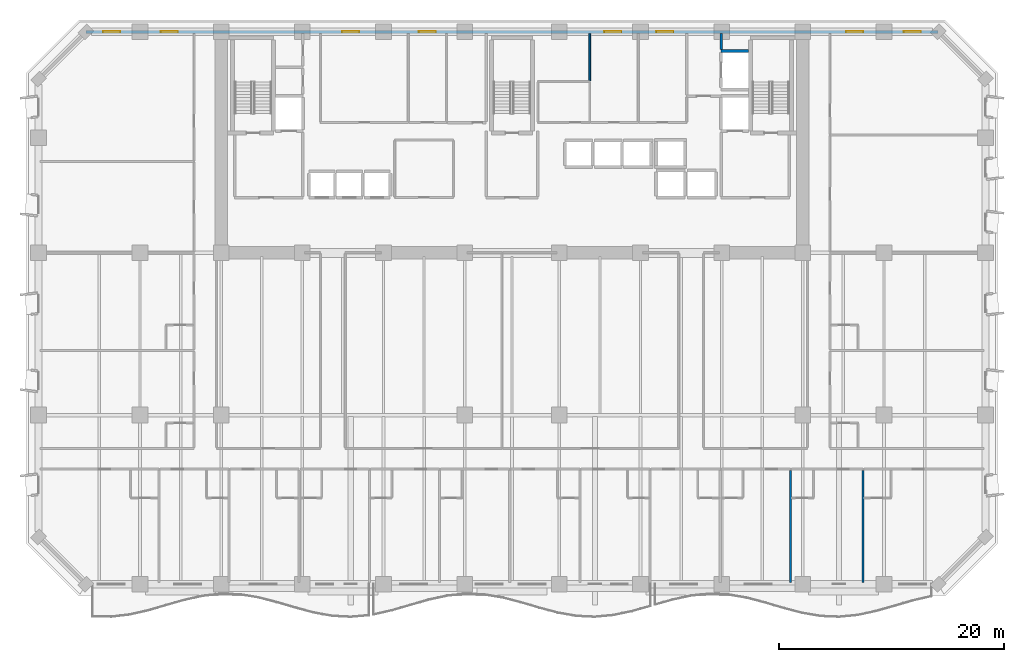
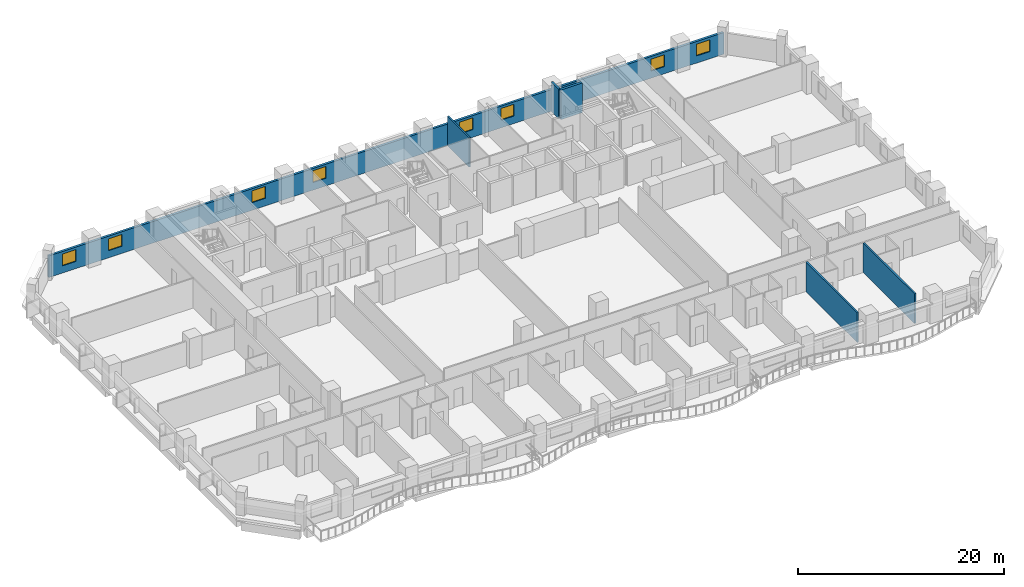
# One storey, part 9 of 15: 8 windows, 6 walls, 8 openings.
"""IFC4 building model written with IfcOpenShell, lengths in metres."""

from ifc_helpers import new_model, si_unit, direction, frame, frame_2d, origin, place, context, subcontext, project, spatial, rectangle, extrude, material, layer, layer_set, type_object, element, fill, save


model = new_model("IFC4")

# Units and contexts
model_context = context("Model", 3, precision=1e-05, world=origin(), true_north=direction((0.0, 1.0)))
body_context = subcontext(model_context, "Body", "Model", "MODEL_VIEW")
ifc_project = project(units=[si_unit("LENGTHUNIT", "METRE"), si_unit("AREAUNIT", "SQUARE_METRE"), si_unit("VOLUMEUNIT", "CUBIC_METRE"), si_unit("PLANEANGLEUNIT", "RADIAN"), si_unit("MASSUNIT", "GRAM", prefix="KILO")], contexts=[model_context])

# Site, building, storey
site_placement = place(None, origin())
site = spatial("IfcSite", under=ifc_project, at=site_placement, CompositionType="ELEMENT")
building_placement = place(site_placement, origin())
building = spatial("IfcBuilding", under=site, at=building_placement, Name="Kaelvorn Grand Hotel", CompositionType="ELEMENT")
storey_placement = place(building_placement, frame((0.0, 0.0, 46.39990234375)))
storey = spatial("IfcBuildingStorey", under=building, at=storey_placement, Name="L09", CompositionType="ELEMENT", Elevation=46.39990234375)

# Wall, openings, windows
ifc_material_1 = material(Name="Concrete C40/50", Category="concrete")
ifc_layer_1 = layer(ifc_material_1, 0.260009765625)
ifc_layer_set_1 = layer_set([ifc_layer_1], Name="Concrete C40/50")
wall_type_1 = type_object("IfcWallType", Name="WL-EXT-260-C40", PredefinedType="SOLIDWALL", material=ifc_layer_set_1)
wall_1_placement = place(storey_placement, frame((79.800048828125, 49.0, 0.0), z_axis=(0.0, 0.0, 1.0), x_axis=(-1.0, 0.0, 0.0)))
wall_1 = element("IfcWall", 1, at=wall_1_placement, inside=storey, type_object=wall_type_1, Name="L09 Exterior Architectural Concrete Wall 05", PredefinedType="SOLIDWALL", context=body_context, shape_type="SweptSolid", body=[
    extrude(rectangle(XDim=75.60009765625, YDim=0.260009765625, at=frame_2d((37.800048828125, 0.0))), origin(), (0.0, 0.0, 1.0), 2.56005859375),
])
opening_1_placement = place(wall_1_placement, frame((72.56494140625, 0.0, 0.85009765625)))
opening_1 = element("IfcOpeningElement", 2, at=opening_1_placement, cuts=wall_1, Name="Opening W10", PredefinedType="OPENING", context=body_context, shape_type="SweptSolid", body=[
    extrude(rectangle(XDim=1.5, YDim=1.39990234375, at=frame_2d((0.75, 0.699951171875))), frame((0.0, 0.14013671875, 0.0), z_axis=(0.0, -1.0, 0.0), x_axis=(1.0, 0.0, 0.0)), (0.0, 0.0, 1.0), 0.280029296875),
])
opening_2_placement = place(wall_1_placement, frame((67.449951171875, 0.0, 0.85009765625)))
opening_2 = element("IfcOpeningElement", 3, at=opening_2_placement, cuts=wall_1, Name="Opening W10", PredefinedType="OPENING", context=body_context, shape_type="SweptSolid", body=[
    extrude(rectangle(XDim=1.5, YDim=1.39990234375, at=frame_2d((0.75, 0.699951171875))), frame((0.0, 0.14013671875, 0.0), z_axis=(0.0, -1.0, 0.0), x_axis=(1.0, 0.0, 0.0)), (0.0, 0.0, 1.0), 0.280029296875),
])
opening_3_placement = place(wall_1_placement, frame((6.64990234375, 0.0, 0.85009765625)))
opening_3 = element("IfcOpeningElement", 4, at=opening_3_placement, cuts=wall_1, Name="Opening W10", PredefinedType="OPENING", context=body_context, shape_type="SweptSolid", body=[
    extrude(rectangle(XDim=1.5, YDim=1.39990234375, at=frame_2d((0.75, 0.699951171875))), frame((0.0, 0.14013671875, 0.0), z_axis=(0.0, -1.0, 0.0), x_axis=(1.0, 0.0, 0.0)), (0.0, 0.0, 1.0), 0.280029296875),
])
opening_4_placement = place(wall_1_placement, frame((1.534912109375, 0.0, 0.85009765625)))
opening_4 = element("IfcOpeningElement", 5, at=opening_4_placement, cuts=wall_1, Name="Opening W10", PredefinedType="OPENING", context=body_context, shape_type="SweptSolid", body=[
    extrude(rectangle(XDim=1.5, YDim=1.39990234375, at=frame_2d((0.75, 0.699951171875))), frame((0.0, 0.14013671875, 0.0), z_axis=(0.0, -1.0, 0.0), x_axis=(1.0, 0.0, 0.0)), (0.0, 0.0, 1.0), 0.280029296875),
])
opening_5_placement = place(wall_1_placement, frame((51.364990234375, 0.0, 0.89990234375)))
opening_5 = element("IfcOpeningElement", 6, at=opening_5_placement, cuts=wall_1, Name="Opening W10", PredefinedType="OPENING", context=body_context, shape_type="SweptSolid", body=[
    extrude(rectangle(XDim=1.5, YDim=1.39990234375, at=frame_2d((0.75, 0.699951171875))), frame((0.0, 0.14013671875, 0.0), z_axis=(0.0, -1.0, 0.0), x_axis=(1.0, 0.0, 0.0)), (0.0, 0.0, 1.0), 0.280029296875),
])
opening_6_placement = place(wall_1_placement, frame((44.550048828125, 0.0, 0.89990234375)))
opening_6 = element("IfcOpeningElement", 7, at=opening_6_placement, cuts=wall_1, Name="Opening W10", PredefinedType="OPENING", context=body_context, shape_type="SweptSolid", body=[
    extrude(rectangle(XDim=1.5, YDim=1.39990234375, at=frame_2d((0.75, 0.699951171875))), frame((0.0, 0.14013671875, 0.0), z_axis=(0.0, -1.0, 0.0), x_axis=(1.0, 0.0, 0.0)), (0.0, 0.0, 1.0), 0.280029296875),
])
opening_7_placement = place(wall_1_placement, frame((28.10009765625, 0.0, 0.89990234375)))
opening_7 = element("IfcOpeningElement", 8, at=opening_7_placement, cuts=wall_1, Name="Opening W10", PredefinedType="OPENING", context=body_context, shape_type="SweptSolid", body=[
    extrude(rectangle(XDim=1.5, YDim=1.39990234375, at=frame_2d((0.75, 0.699951171875))), frame((0.0, 0.14013671875, 0.0), z_axis=(0.0, -1.0, 0.0), x_axis=(1.0, 0.0, 0.0)), (0.0, 0.0, 1.0), 0.280029296875),
])
opening_8_placement = place(wall_1_placement, frame((23.485107421875, 0.0, 0.89990234375)))
opening_8 = element("IfcOpeningElement", 9, at=opening_8_placement, cuts=wall_1, Name="Opening W10", PredefinedType="OPENING", context=body_context, shape_type="SweptSolid", body=[
    extrude(rectangle(XDim=1.5, YDim=1.39990234375, at=frame_2d((0.75, 0.699951171875))), frame((0.0, 0.14013671875, 0.0), z_axis=(0.0, -1.0, 0.0), x_axis=(1.0, 0.0, 0.0)), (0.0, 0.0, 1.0), 0.280029296875),
])
ifc_material_2 = material(Name="Laminated Low-E Glass", Category="glass")
window_type = type_object("IfcWindowType", Name="WIN-COR-1500x1400", PartitioningType="SINGLE_PANEL", PredefinedType="WINDOW", material=ifc_material_2)
window_1_placement = place(opening_1_placement, origin())
window_1 = element("IfcWindow", 10, at=window_1_placement, inside=storey, type_object=window_type, Name="L09 North Wing Ribbon Window NW01", OverallHeight=1.39990234375, OverallWidth=1.5, PartitioningType="SINGLE_PANEL", PredefinedType="WINDOW", context=body_context, shape_type="SweptSolid", body=[
    extrude(rectangle(XDim=1.5, YDim=1.39990234375, at=frame_2d((0.75, 0.699951171875))), frame((0.0, 0.030029296875, 0.0), z_axis=(0.0, -1.0, 0.0), x_axis=(1.0, 0.0, 0.0)), (0.0, 0.0, 1.0), 0.06005859375),
])
fill(opening_1, window_1)
window_2_placement = place(opening_2_placement, origin())
window_2 = element("IfcWindow", 11, at=window_2_placement, inside=storey, type_object=window_type, Name="L09 North Wing Ribbon Window NW02", OverallHeight=1.39990234375, OverallWidth=1.5, PartitioningType="SINGLE_PANEL", PredefinedType="WINDOW", context=body_context, shape_type="SweptSolid", body=[
    extrude(rectangle(XDim=1.5, YDim=1.39990234375, at=frame_2d((0.75, 0.699951171875))), frame((0.0, 0.030029296875, 0.0), z_axis=(0.0, -1.0, 0.0), x_axis=(1.0, 0.0, 0.0)), (0.0, 0.0, 1.0), 0.06005859375),
])
fill(opening_2, window_2)
window_3_placement = place(opening_3_placement, origin())
window_3 = element("IfcWindow", 12, at=window_3_placement, inside=storey, type_object=window_type, Name="L09 North Wing Ribbon Window NW03", OverallHeight=1.39990234375, OverallWidth=1.5, PartitioningType="SINGLE_PANEL", PredefinedType="WINDOW", context=body_context, shape_type="SweptSolid", body=[
    extrude(rectangle(XDim=1.5, YDim=1.39990234375, at=frame_2d((0.75, 0.699951171875))), frame((0.0, 0.030029296875, 0.0), z_axis=(0.0, -1.0, 0.0), x_axis=(1.0, 0.0, 0.0)), (0.0, 0.0, 1.0), 0.06005859375),
])
fill(opening_3, window_3)
window_4_placement = place(opening_4_placement, origin())
window_4 = element("IfcWindow", 13, at=window_4_placement, inside=storey, type_object=window_type, Name="L09 North Wing Ribbon Window NW04", OverallHeight=1.39990234375, OverallWidth=1.5, PartitioningType="SINGLE_PANEL", PredefinedType="WINDOW", context=body_context, shape_type="SweptSolid", body=[
    extrude(rectangle(XDim=1.5, YDim=1.39990234375, at=frame_2d((0.75, 0.699951171875))), frame((0.0, 0.030029296875, 0.0), z_axis=(0.0, -1.0, 0.0), x_axis=(1.0, 0.0, 0.0)), (0.0, 0.0, 1.0), 0.06005859375),
])
fill(opening_4, window_4)
window_5_placement = place(opening_5_placement, origin())
window_5 = element("IfcWindow", 14, at=window_5_placement, inside=storey, type_object=window_type, Name="L09 North Core Clerestory Ribbon Window NC05", OverallHeight=1.39990234375, OverallWidth=1.5, PartitioningType="SINGLE_PANEL", PredefinedType="WINDOW", context=body_context, shape_type="SweptSolid", body=[
    extrude(rectangle(XDim=1.5, YDim=1.39990234375, at=frame_2d((0.75, 0.699951171875))), frame((0.0, 0.030029296875, 0.0), z_axis=(0.0, -1.0, 0.0), x_axis=(1.0, 0.0, 0.0)), (0.0, 0.0, 1.0), 0.06005859375),
])
fill(opening_5, window_5)
window_6_placement = place(opening_6_placement, origin())
window_6 = element("IfcWindow", 15, at=window_6_placement, inside=storey, type_object=window_type, Name="L09 North Core Clerestory Ribbon Window NC06", OverallHeight=1.39990234375, OverallWidth=1.5, PartitioningType="SINGLE_PANEL", PredefinedType="WINDOW", context=body_context, shape_type="SweptSolid", body=[
    extrude(rectangle(XDim=1.5, YDim=1.39990234375, at=frame_2d((0.75, 0.699951171875))), frame((0.0, 0.030029296875, 0.0), z_axis=(0.0, -1.0, 0.0), x_axis=(1.0, 0.0, 0.0)), (0.0, 0.0, 1.0), 0.06005859375),
])
fill(opening_6, window_6)
window_7_placement = place(opening_7_placement, origin())
window_7 = element("IfcWindow", 16, at=window_7_placement, inside=storey, type_object=window_type, Name="L09 North Core Clerestory Ribbon Window NC07", OverallHeight=1.39990234375, OverallWidth=1.5, PartitioningType="SINGLE_PANEL", PredefinedType="WINDOW", context=body_context, shape_type="SweptSolid", body=[
    extrude(rectangle(XDim=1.5, YDim=1.39990234375, at=frame_2d((0.75, 0.699951171875))), frame((0.0, 0.030029296875, 0.0), z_axis=(0.0, -1.0, 0.0), x_axis=(1.0, 0.0, 0.0)), (0.0, 0.0, 1.0), 0.06005859375),
])
fill(opening_7, window_7)
window_8_placement = place(opening_8_placement, origin())
window_8 = element("IfcWindow", 17, at=window_8_placement, inside=storey, type_object=window_type, Name="L09 North Core Clerestory Ribbon Window NC08", OverallHeight=1.39990234375, OverallWidth=1.5, PartitioningType="SINGLE_PANEL", PredefinedType="WINDOW", context=body_context, shape_type="SweptSolid", body=[
    extrude(rectangle(XDim=1.5, YDim=1.39990234375, at=frame_2d((0.75, 0.699951171875))), frame((0.0, 0.030029296875, 0.0), z_axis=(0.0, -1.0, 0.0), x_axis=(1.0, 0.0, 0.0)), (0.0, 0.0, 1.0), 0.06005859375),
])
fill(opening_8, window_8)

# Walls
ifc_material_3 = material(Name="Acoustic Gypsum & Stud Partition")
ifc_layer_2 = layer(ifc_material_3, 0.14990234375)
ifc_layer_set_2 = layer_set([ifc_layer_2], Name="Acoustic Gypsum & Stud Partition")
wall_type_2 = type_object("IfcWallType", Name="WL-PART-150-EI60", PredefinedType="PARTITIONING", material=ifc_layer_set_2)
wall_2_placement = place(storey_placement, frame((48.89990234375, 44.66748046875, 0.0), z_axis=(0.0, 0.0, 1.0), x_axis=(0.0, 1.0, 0.0)))
element("IfcWall", 18, at=wall_2_placement, inside=storey, type_object=wall_type_2, Name="L09 Minibar & Glassware Store W Partition", PredefinedType="PARTITIONING", context=body_context, shape_type="SweptSolid", body=[
    extrude(rectangle(XDim=4.1826171875, YDim=0.14990234375, at=frame_2d((2.09130859375, 0.0))), origin(), (0.0, 0.0, 1.0), 3.510009765625),
])
ifc_layer_3 = layer(ifc_material_3, 0.179931640625)
ifc_layer_set_3 = layer_set([ifc_layer_3], Name="Acoustic Gypsum & Stud Partition")
wall_type_3 = type_object("IfcWallType", Name="WL-PART-180-EI60", PredefinedType="PARTITIONING", material=ifc_layer_set_3)
for number, where, z_axis, x_axis, name in (
    (19, (66.69873046875, 0.14990234375, 0.0), (0.0, 0.0, 1.0), (0.0, 1.0, 0.0), "L09 Deluxe King Guest Room L09-10 E Partition"),
    (20, (73.124267578125, 0.14990234375, 0.0), (0.0, 0.0, 1.0), (0.0, 1.0, 0.0), "L09 Deluxe Panoramic Suite L09-11 E Partition"),
):
    element("IfcWall", number, at=place(storey_placement, frame(where, z_axis=z_axis, x_axis=x_axis)), inside=storey, type_object=wall_type_3, Name=name, PredefinedType="PARTITIONING", context=body_context, shape_type="SweptSolid", body=[
        extrude(rectangle(XDim=9.955078125, YDim=0.179931640625, at=frame_2d((4.9775390625, 0.0))), origin(), (0.0, 0.0, 1.0), 3.510009765625),
    ])
ifc_layer_4 = layer(ifc_material_1, 0.219970703125)
ifc_layer_set_4 = layer_set([ifc_layer_4], Name="Concrete C40/50")
wall_type_4 = type_object("IfcWallType", Name="WL-PART-220-EI120", PredefinedType="PARTITIONING", material=ifc_layer_set_4)
wall_3_placement = place(storey_placement, frame((60.550048828125, 47.445068359375, 0.0), z_axis=(0.0, 0.0, 1.0), x_axis=(0.0, 1.0, 0.0)))
element("IfcWall", 21, at=wall_3_placement, inside=storey, type_object=wall_type_4, Name="L09 Service Lift Lobby E Partition", PredefinedType="PARTITIONING", context=body_context, shape_type="SweptSolid", body=[
    extrude(rectangle(XDim=1.405029296875, YDim=0.219970703125, at=frame_2d((0.70263671875, 0.0))), origin(), (0.0, 0.0, 1.0), 3.510009765625),
])
ifc_material_4 = material(Name="Concrete C50/60", Category="concrete")
ifc_layer_5 = layer(ifc_material_4, 0.280029296875)
ifc_layer_set_5 = layer_set([ifc_layer_5], Name="Concrete C50/60")
wall_type_5 = type_object("IfcWallType", Name="WL-SHAFT-280-C50", PredefinedType="SHEAR", material=ifc_layer_set_5)
wall_4_placement = place(storey_placement, frame((60.550048828125, 47.300048828125, 0.0), z_axis=(0.0, 0.0, 1.0), x_axis=(1.0, 0.0, 0.0)))
element("IfcWall", 22, at=wall_4_placement, inside=storey, type_object=wall_type_5, Name="L09 Lift SV1 Shaft North Wall", PredefinedType="SHEAR", context=body_context, shape_type="SweptSolid", body=[
    extrude(rectangle(XDim=2.4150390625, YDim=0.280029296875, at=frame_2d((1.20751953125, 0.0))), origin(), (0.0, 0.0, 1.0), 3.510009765625),
])

save(model, "model.ifc")
